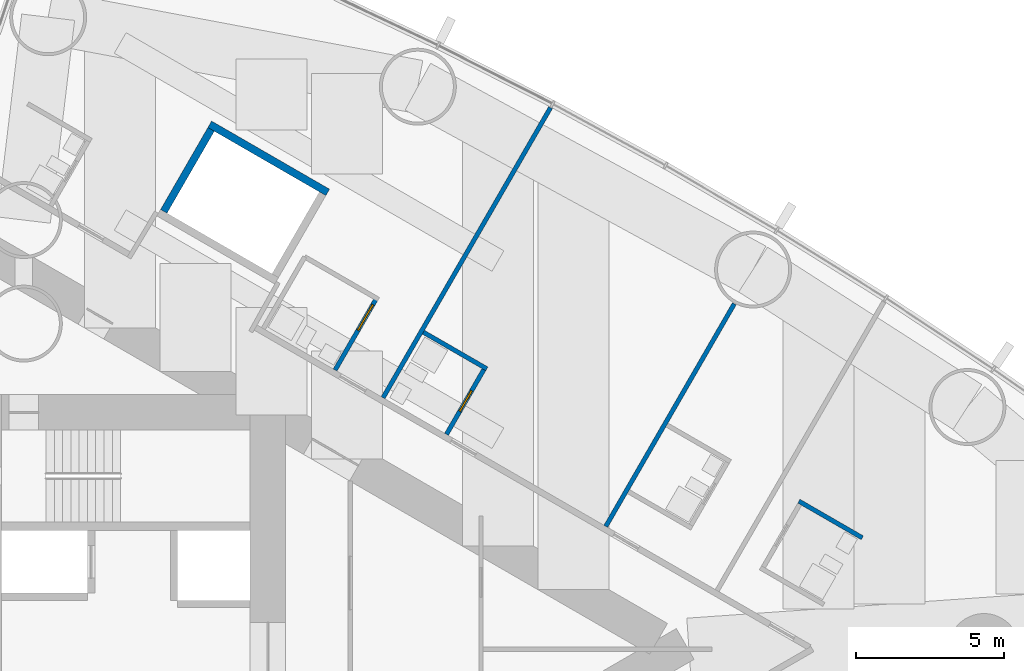
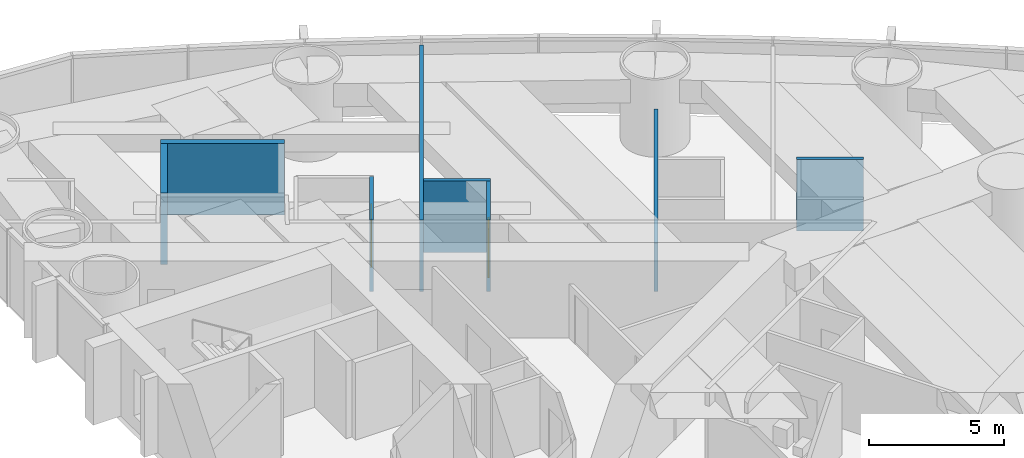
# One storey, part 15 of 18: 8 walls, 2 doors, 2 openings.
"""IFC4 building model written with IfcOpenShell, lengths in metres."""

import ifcopenshell
import ifcopenshell.guid

model = None  # the IFC model being written
_history = None  # IfcOwnerHistory: only IFC2X3 demands one
_inside = {}  # id of a spatial element -> (the spatial element, [elements in it])
_under = {}  # id of a project, library or spatial element -> (it, [spatial elements below it])
_declared = {}  # id of a project -> (the project, [libraries it declares])
_typed = {}  # id of a type object -> (the type object, [elements of that type])
_made_of = {}  # id of a material, layer set ... -> (it, [elements and type objects made of it])


def new_model(schema):
    """Start an empty IFC model of exactly this schema.

    Asked for "IFC4X3", IfcOpenShell would pick the latest addendum, in which some entities
    have other attributes; the version numbers below select the first issue.
    IFC2X3 requires an IfcOwnerHistory on every rooted entity: one is made here for all.
    """
    global model, _history
    if schema == "IFC4X3":
        model = ifcopenshell.file(schema_version=(4, 3, 0, 0))
    else:
        model = ifcopenshell.file(schema=schema)
    _inside.clear()
    _under.clear()
    _declared.clear()
    _typed.clear()
    _made_of.clear()
    _history = None
    if model.schema == "IFC2X3":
        org = make("IfcOrganization", Name="unknown")
        user = make(
            "IfcPersonAndOrganization",
            ThePerson=make("IfcPerson", FamilyName="unknown"),
            TheOrganization=org,
        )
        app = make(
            "IfcApplication",
            ApplicationDeveloper=org,
            Version="unknown",
            ApplicationFullName="unknown",
            ApplicationIdentifier="unknown",
        )
        _history = make(
            "IfcOwnerHistory",
            OwningUser=user,
            OwningApplication=app,
            ChangeAction="ADDED",
            CreationDate=0,
        )
    return model


def make(cls, **values):
    """One entity of the class cls with the attributes given. An attribute that is None is left unset."""
    return model.create_entity(
        cls, **{name: value for name, value in values.items() if value is not None}
    )


def rooted(cls, **values):
    """An entity with a GlobalId (a new one), such as an element, a storey or a relation."""
    return make(cls, GlobalId=ifcopenshell.guid.new(), OwnerHistory=_history, **values)


def si_unit(unit_type, name, prefix=None):
    """IfcSIUnit, for example si_unit("LENGTHUNIT", "METRE", prefix="MILLI")."""
    return make("IfcSIUnit", UnitType=unit_type, Prefix=prefix, Name=name)


def assignment(units):
    """IfcUnitAssignment: the units of a project."""
    return None if units is None else make("IfcUnitAssignment", Units=units)


def point(xyz):
    """IfcCartesianPoint."""
    return None if xyz is None else make("IfcCartesianPoint", Coordinates=xyz)


def direction(xyz):
    """IfcDirection."""
    return None if xyz is None else make("IfcDirection", DirectionRatios=xyz)


def frame(location, z_axis=None, x_axis=None):
    """IfcAxis2Placement3D, a coordinate frame: its origin and axes. An axis left out is left unset."""
    return make(
        "IfcAxis2Placement3D",
        Location=point(location),
        Axis=direction(z_axis),
        RefDirection=direction(x_axis),
    )


def frame_2d(location, x_axis=None):
    """IfcAxis2Placement2D, a coordinate frame in the plane: its origin and x axis."""
    return make(
        "IfcAxis2Placement2D", Location=point(location), RefDirection=direction(x_axis)
    )


def origin():
    """The frame at (0, 0, 0) with its axes left unset."""
    return frame((0.0, 0.0, 0.0))


def place(relative_to, where):
    """IfcLocalPlacement: puts the frame where relative to a parent placement (None: the world)."""
    return make(
        "IfcLocalPlacement", PlacementRelTo=relative_to, RelativePlacement=where
    )


def context(
    kind, dimensions, precision=None, world=None, true_north=None, identifier=None
):
    """IfcGeometricRepresentationContext, for example the 3D "Model" context."""
    return make(
        "IfcGeometricRepresentationContext",
        ContextIdentifier=identifier,
        ContextType=kind,
        CoordinateSpaceDimension=dimensions,
        Precision=precision,
        WorldCoordinateSystem=world,
        TrueNorth=true_north,
    )


def subcontext(parent, identifier, kind, view, scale=None):
    """IfcGeometricRepresentationSubContext, for example "Body" below "Model"."""
    return make(
        "IfcGeometricRepresentationSubContext",
        ContextIdentifier=identifier,
        ContextType=kind,
        ParentContext=parent,
        TargetScale=scale,
        TargetView=view,
    )


def project(units=None, contexts=None):
    """IfcProject with its units and contexts."""
    return rooted(
        "IfcProject",
        Name="project",
        RepresentationContexts=contexts,
        UnitsInContext=assignment(units),
    )


def spatial(cls, under=None, at=None, **own):
    """A site, building, storey or space (cls), placed at a placement, below another one or the project."""
    s = rooted(cls, ObjectPlacement=at, **own)
    if under is not None:
        _under.setdefault(under.id(), (under, []))[1].append(s)
    return s


def profile(cls, at=None, kind="AREA", **sizes):
    """A parametric profile (cls). Its sizes go by their IFC names, for example OverallWidth=200.0."""
    return make(cls, ProfileType=kind, Position=at, **sizes)


def rectangle(**sizes):
    """IfcRectangleProfileDef."""
    return profile("IfcRectangleProfileDef", **sizes)


def extrude(swept, where, along, depth):
    """IfcExtrudedAreaSolid: the profile swept, set in the frame where, extruded along a direction by depth."""
    return make(
        "IfcExtrudedAreaSolid",
        SweptArea=swept,
        Position=where,
        ExtrudedDirection=direction(along),
        Depth=depth,
    )


def shape(context_of_items, identifier, shape_type, items):
    """IfcShapeRepresentation: the items that make up one representation, for example the "Body"."""
    return make(
        "IfcShapeRepresentation",
        ContextOfItems=context_of_items,
        RepresentationIdentifier=identifier,
        RepresentationType=shape_type,
        Items=items,
    )


def material(Name=None, Category=None):
    """IfcMaterial."""
    return make("IfcMaterial", Name=Name, Category=Category)


def layer(
    of_material, thickness, ventilated=None, Name=None, Category=None, Priority=None
):
    """IfcMaterialLayer: one layer of a wall or slab, of a material (None: an air gap)."""
    return make(
        "IfcMaterialLayer",
        Material=of_material,
        LayerThickness=thickness,
        IsVentilated=ventilated,
        Name=Name,
        Category=Category,
        Priority=Priority,
    )


def layer_set(layers, Name=None):
    """IfcMaterialLayerSet."""
    return make("IfcMaterialLayerSet", MaterialLayers=layers, LayerSetName=Name)


def made_of(thing, what):
    """Note that an element or type object is made of a material, layer set ...; save() writes the relation."""
    if what is not None:
        _made_of.setdefault(what.id(), (what, []))[1].append(thing)
    return thing


def type_object(cls, material=None, **own):
    """A type object (cls), such as IfcWallType, which elements share."""
    return made_of(rooted(cls, **own), material)


def element(
    cls,
    number,
    at=None,
    inside=None,
    cuts=None,
    type_object=None,
    material=None,
    context=None,
    identifier="Body",
    shape_type=None,
    held_by="IfcProductDefinitionShape",
    body=None,
    shapes=None,
    **own,
):
    """One element of the class cls, such as IfcWall. Its Tag is "e" and its number.

    at: its placement. inside: the storey or other place that contains it. cuts: it is an
    opening in that element (IfcRelVoidsElement). A single representation is given by context,
    identifier, shape_type and body (its items); several are given by shapes. held_by: the class
    of the entity that holds the representations. save() writes the other relations.
    """
    e = rooted(cls, Tag="e%d" % number, ObjectPlacement=at, **own)
    if body is not None:
        shapes = [shape(context, identifier, shape_type, body)]
    if shapes is not None:
        e.Representation = make(held_by, Representations=shapes)
    if inside is not None:
        _inside.setdefault(inside.id(), (inside, []))[1].append(e)
    if cuts is not None:
        rooted(
            "IfcRelVoidsElement", RelatingBuildingElement=cuts, RelatedOpeningElement=e
        )
    if type_object is not None:
        _typed.setdefault(type_object.id(), (type_object, []))[1].append(e)
    return made_of(e, material)


def fill(opening, filler):
    """IfcRelFillsElement: the door or window that sits in an opening."""
    return rooted(
        "IfcRelFillsElement",
        RelatingOpeningElement=opening,
        RelatedBuildingElement=filler,
    )


def aggregate(whole, parts):
    """IfcRelAggregates: a whole, such as a stair, and the parts it consists of."""
    return rooted("IfcRelAggregates", RelatingObject=whole, RelatedObjects=parts)


def save(model, path):
    """Write the relations noted so far, then the file.

    IfcRelAggregates (storeys below a building ...), IfcRelContainedInSpatialStructure (elements
    in a storey), IfcRelDefinesByType, IfcRelAssociatesMaterial and IfcRelDeclares: one each for
    every whole, place, type object, material and project.
    """
    for whole, parts in _under.values():
        aggregate(whole, parts)
    for where, things in _inside.values():
        rooted(
            "IfcRelContainedInSpatialStructure",
            RelatedElements=things,
            RelatingStructure=where,
        )
    for kind, things in _typed.values():
        rooted("IfcRelDefinesByType", RelatedObjects=things, RelatingType=kind)
    for what, things in _made_of.values():
        rooted("IfcRelAssociatesMaterial", RelatedObjects=things, RelatingMaterial=what)
    for by, libraries in _declared.values():
        rooted("IfcRelDeclares", RelatingContext=by, RelatedDefinitions=libraries)
    model.write(path)


model = new_model("IFC4")

# Units and contexts
model_context = context("Model", 3, precision=1e-05, world=origin(), true_north=direction((0.0, 1.0)))
body_context = subcontext(model_context, "Body", "Model", "MODEL_VIEW")
ifc_project = project(units=[si_unit("LENGTHUNIT", "METRE"), si_unit("AREAUNIT", "SQUARE_METRE"), si_unit("VOLUMEUNIT", "CUBIC_METRE"), si_unit("PLANEANGLEUNIT", "RADIAN"), si_unit("MASSUNIT", "GRAM", prefix="KILO")], contexts=[model_context])

# Site, building, storey
site_placement = place(None, origin())
site = spatial("IfcSite", under=ifc_project, at=site_placement, CompositionType="ELEMENT")
building_placement = place(site_placement, origin())
building = spatial("IfcBuilding", under=site, at=building_placement, Name="Lancet Gate Hotel", CompositionType="ELEMENT")
storey_placement = place(building_placement, frame((0.0, 0.0, 129.10009765625)))
storey = spatial("IfcBuildingStorey", under=building, at=storey_placement, Name="L34", CompositionType="ELEMENT", Elevation=129.10009765625)

# Walls
ifc_material_1 = material(Name="Moisture resistant board partition")
ifc_layer_1 = layer(ifc_material_1, 0.14990234375)
ifc_layer_set_1 = layer_set([ifc_layer_1], Name="Bathroom wall 150")
wall_type_1 = type_object("IfcWallType", Name="Bathroom wall 150", PredefinedType="PARTITIONING", material=ifc_layer_set_1)
wall_1_placement = place(storey_placement, frame((55.2451171875, 4.998291015625, 0.0), z_axis=(0.0, 0.0, 1.0), x_axis=(0.866006523861, -0.500032699561, 0.0)))
element("IfcWall", 1, at=wall_1_placement, inside=storey, type_object=wall_type_1, Name="T2 bathroom wall 150 L34", PredefinedType="PARTITIONING", context=body_context, shape_type="SweptSolid", body=[
    extrude(rectangle(XDim=2.474853515625, YDim=0.14990234375, at=frame_2d((1.2373046875, 0.0))), origin(), (0.0, 0.0, 1.0), 3.25),
])
wall_2_placement = place(storey_placement, frame((42.5546875, 10.708251953125, 0.0), z_axis=(0.0, 0.0, 1.0), x_axis=(0.866073894602, -0.499916002032, 0.0)))
element("IfcWall", 2, at=wall_2_placement, inside=storey, type_object=wall_type_1, Name="T2 bathroom wall 150 L34", PredefinedType="PARTITIONING", context=body_context, shape_type="SweptSolid", body=[
    extrude(rectangle(XDim=2.47509765625, YDim=0.14990234375, at=frame_2d((1.237548828125, 0.0))), origin(), (0.0, 0.0, 1.0), 3.25),
])

# Wall, opening, door
wall_3_placement = place(storey_placement, frame((43.333251953125, 7.256591796875, 0.0), z_axis=(0.0, 0.0, 1.0), x_axis=(0.500006934395, 0.866021400173, 0.0)))
wall_3 = element("IfcWall", 3, at=wall_3_placement, inside=storey, type_object=wall_type_1, Name="T2 bathroom wall 150 L34", PredefinedType="PARTITIONING", context=body_context, shape_type="SweptSolid", body=[
    extrude(rectangle(XDim=2.60009765625, YDim=0.14990234375, at=frame_2d((1.300048828125, 0.0))), origin(), (0.0, 0.0, 1.0), 3.25),
])
opening_1_placement = place(wall_3_placement, frame((0.89990234375, 0.0, 0.0)))
opening_1 = element("IfcOpeningElement", 4, at=opening_1_placement, cuts=wall_3, Name="Opening 3460-B", PredefinedType="OPENING", context=body_context, shape_type="SweptSolid", body=[
    extrude(rectangle(XDim=0.800048828125, YDim=2.199951171875, at=frame_2d((0.39990234375, 1.10009765625))), frame((0.0, 0.0849609375, 0.0), z_axis=(0.0, -1.0, 0.0), x_axis=(1.0, 0.0, 0.0)), (0.0, 0.0, 1.0), 0.169921875),
])
ifc_material_2 = material(Name="Timber door set", Category="wood")
door_type_1 = type_object("IfcDoorType", Name="Bathroom door 800", OperationType="SINGLE_SWING_RIGHT", PredefinedType="DOOR", material=ifc_material_2)
door_1_placement = place(opening_1_placement, origin())
door_1 = element("IfcDoor", 5, at=door_1_placement, inside=storey, type_object=door_type_1, Name="3460-B", OperationType="SINGLE_SWING_RIGHT", OverallHeight=2.199951171875, OverallWidth=0.800048828125, PredefinedType="DOOR", context=body_context, shape_type="SweptSolid", body=[
    extrude(rectangle(XDim=0.800048828125, YDim=2.199951171875, at=frame_2d((0.39990234375, 1.10009765625))), frame((0.0, 0.02490234375, 0.0), z_axis=(0.0, -1.0, 0.0), x_axis=(1.0, 0.0, 0.0)), (0.0, 0.0, 1.0), 0.050048828125),
])
fill(opening_1, door_1)

wall_4_placement = place(storey_placement, frame((39.56884765625, 9.43017578125, 0.0), z_axis=(0.0, 0.0, 1.0), x_axis=(0.49998411664, 0.866034573852, 0.0)))
wall_4 = element("IfcWall", 6, at=wall_4_placement, inside=storey, type_object=wall_type_1, Name="T2 bathroom wall 150 L34", PredefinedType="PARTITIONING", context=body_context, shape_type="SweptSolid", body=[
    extrude(rectangle(XDim=2.7998046875, YDim=0.14990234375, at=frame_2d((1.39990234375, 0.0))), origin(), (0.0, 0.0, 1.0), 3.25),
])
opening_2_placement = place(wall_4_placement, frame((1.550048828125, 0.0, 0.0)))
opening_2 = element("IfcOpeningElement", 7, at=opening_2_placement, cuts=wall_4, Name="Opening 3462-B", PredefinedType="OPENING", context=body_context, shape_type="SweptSolid", body=[
    extrude(rectangle(XDim=1.0, YDim=2.199951171875, at=frame_2d((0.5, 1.10009765625))), frame((0.0, 0.0849609375, 0.0), z_axis=(0.0, -1.0, 0.0), x_axis=(1.0, 0.0, 0.0)), (0.0, 0.0, 1.0), 0.169921875),
])
ifc_material_3 = material(Name="Timber door set", Category="wood")
door_type_2 = type_object("IfcDoorType", Name="Accessible en-suite door 1000", OperationType="SINGLE_SWING_RIGHT", PredefinedType="DOOR", material=ifc_material_3)
door_2_placement = place(opening_2_placement, origin())
door_2 = element("IfcDoor", 8, at=door_2_placement, inside=storey, type_object=door_type_2, Name="3462-B", OperationType="SINGLE_SWING_RIGHT", OverallHeight=2.199951171875, OverallWidth=1.0, PredefinedType="DOOR", context=body_context, shape_type="SweptSolid", body=[
    extrude(rectangle(XDim=1.0, YDim=2.199951171875, at=frame_2d((0.5, 1.10009765625))), frame((0.0, 0.02490234375, 0.0), z_axis=(0.0, -1.0, 0.0), x_axis=(1.0, 0.0, 0.0)), (0.0, 0.0, 1.0), 0.050048828125),
])
fill(opening_2, door_2)

# Walls
ifc_material_4 = material(Name="Gypsum board partition")
ifc_layer_2 = layer(ifc_material_4, 0.25)
ifc_layer_set_2 = layer_set([ifc_layer_2], Name="Lift shaft partition 250")
wall_type_2 = type_object("IfcWallType", Name="Lift shaft partition 250", PredefinedType="PARTITIONING", material=ifc_layer_set_2)
wall_5_placement = place(storey_placement, frame((35.33349609375, 17.73583984375, 0.0), z_axis=(0.0, 0.0, 1.0), x_axis=(0.866043305498, -0.49996899204, 0.0)))
element("IfcWall", 9, at=wall_5_placement, inside=storey, type_object=wall_type_2, Name="T2 lift shaft wall EX L34", PredefinedType="PARTITIONING", context=body_context, shape_type="SweptSolid", body=[
    extrude(rectangle(XDim=4.600341796875, YDim=0.25, at=frame_2d((2.30029296875, 0.0))), origin(), (0.0, 0.0, 1.0), 3.25),
])
wall_6_placement = place(storey_placement, frame((33.779296875, 14.79296875, 0.0), z_axis=(0.0, 0.0, 1.0), x_axis=(0.499929347863, 0.866066190972, 0.0)))
element("IfcWall", 10, at=wall_6_placement, inside=storey, type_object=wall_type_2, Name="T2 lift shaft wall EX L34", PredefinedType="PARTITIONING", context=body_context, shape_type="SweptSolid", body=[
    extrude(rectangle(XDim=3.20068359375, YDim=0.25, at=frame_2d((1.600341796875, 0.0))), origin(), (0.0, 0.0, 1.0), 3.25),
])
ifc_material_5 = material(Name="Gypsum board partition")
ifc_layer_3 = layer(ifc_material_5, 0.14990234375)
ifc_layer_set_3 = layer_set([ifc_layer_3], Name="Party wall 150")
wall_type_3 = type_object("IfcWallType", Name="Party wall 150", PredefinedType="PARTITIONING", material=ifc_layer_set_3)
wall_7_placement = place(storey_placement, frame((41.18994140625, 8.494140625, 0.0), z_axis=(0.0, 0.0, 1.0), x_axis=(0.49999258054, 0.866029687369, 0.0)))
element("IfcWall", 11, at=wall_7_placement, inside=storey, type_object=wall_type_3, Name="T2 party wall 150 L34", PredefinedType="PARTITIONING", context=body_context, shape_type="SweptSolid", body=[
    extrude(rectangle(XDim=11.318115234375, YDim=0.14990234375, at=frame_2d((5.6591796875, 0.0))), origin(), (0.0, 0.0, 1.0), 3.25),
])
wall_8_placement = place(storey_placement, frame((48.718505859375, 4.1474609375, 0.0), z_axis=(0.0, 0.0, 1.0), x_axis=(0.499993328235, 0.866029255696, 0.0)))
element("IfcWall", 12, at=wall_8_placement, inside=storey, type_object=wall_type_3, Name="T2 party wall 150 L34", PredefinedType="PARTITIONING", context=body_context, shape_type="SweptSolid", body=[
    extrude(rectangle(XDim=8.68603515625, YDim=0.14990234375, at=frame_2d((4.343017578125, 0.0))), origin(), (0.0, 0.0, 1.0), 2.199951171875),
])

save(model, "model.ifc")
